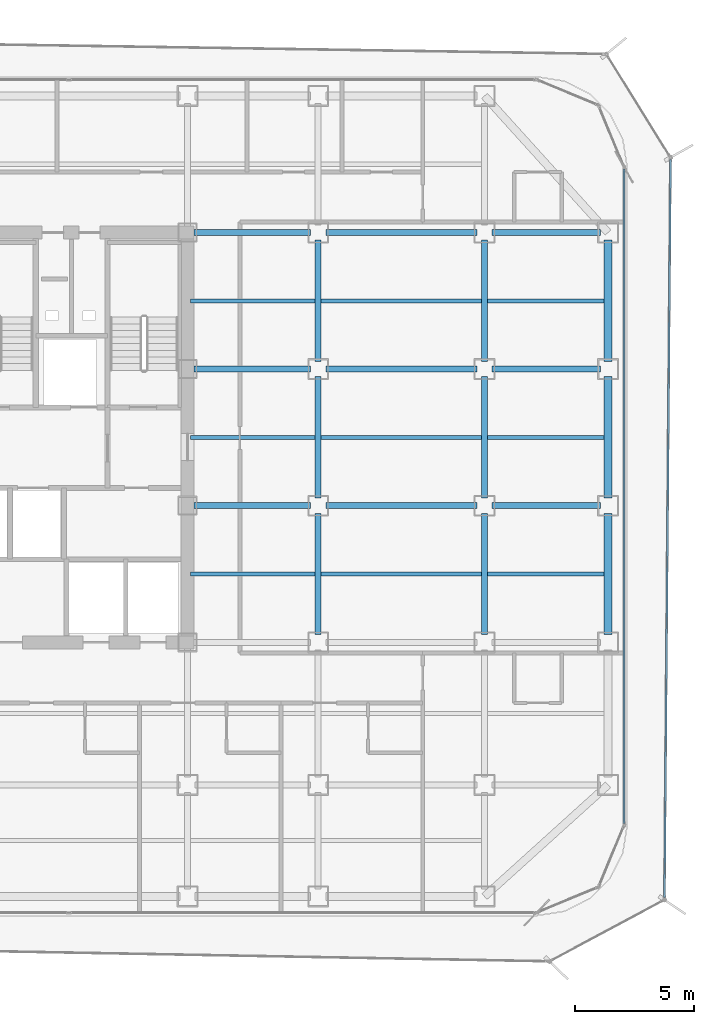
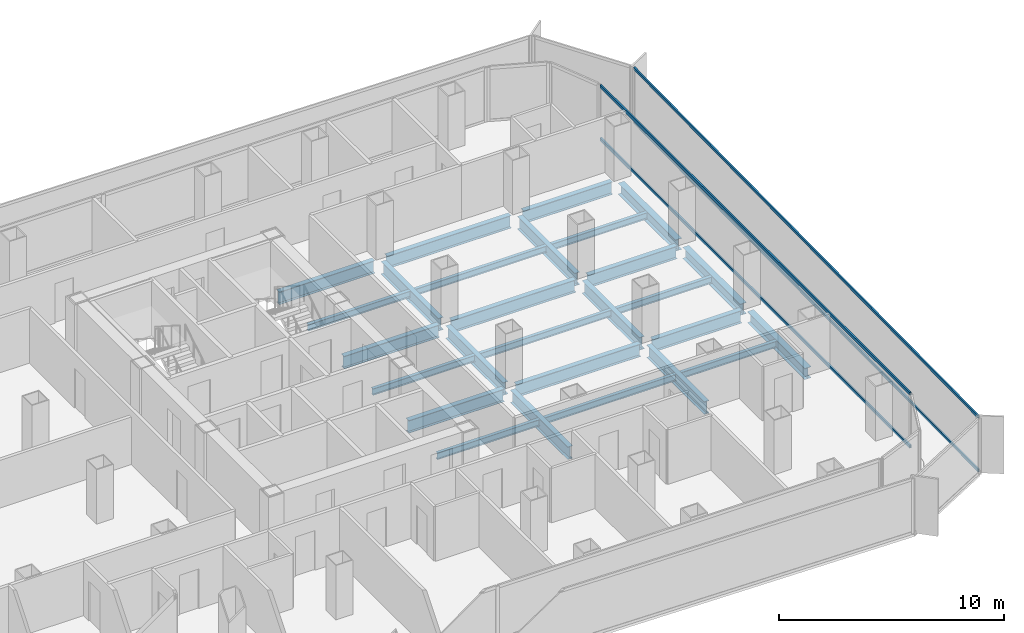
# One storey, part 9 of 21: 27 beams, 4 members, 2 elements without a shape of their own.
"""IFC4 building model written with IfcOpenShell, lengths in metres."""

from ifc_helpers import new_model, si_unit, direction, frame, origin, origin_2d, place, context, subcontext, project, spatial, hollow_rectangle, i_section, extrude, source, transform, mapped, material, layer, layer_set, material_profile, profile_set, type_object, element, aggregate, save


model = new_model("IFC4")

# Units and contexts
model_context = context("Model", 3, precision=1e-05, world=origin(), true_north=direction((0.0, 1.0)))
body_context = subcontext(model_context, "Body", "Model", "MODEL_VIEW")
ifc_project = project(units=[si_unit("LENGTHUNIT", "METRE"), si_unit("AREAUNIT", "SQUARE_METRE"), si_unit("VOLUMEUNIT", "CUBIC_METRE"), si_unit("PLANEANGLEUNIT", "RADIAN"), si_unit("MASSUNIT", "GRAM", prefix="KILO")], contexts=[model_context])

# Site, building, storey
site_placement = place(None, origin())
site = spatial("IfcSite", under=ifc_project, at=site_placement, CompositionType="ELEMENT")
building_placement = place(site_placement, origin())
building = spatial("IfcBuilding", under=site, at=building_placement, Name="Kolveth Station Tower", CompositionType="ELEMENT")
storey_placement = place(building_placement, frame((0.0, 0.0, 111.89990234375)))
storey = spatial("IfcBuildingStorey", under=building, at=storey_placement, Name="L30", CompositionType="ELEMENT", Elevation=111.89990234375)

# Beams
ifc_material_1 = material(Name="Steel S355", Category="steel")
ifc_material_profile_1 = material_profile(ifc_material_1, i_section(OverallWidth=0.323974609375, OverallDepth=0.611083984375, WebThickness=0.0126953125, FlangeThickness=0.01904296875, at=origin_2d()), Name="W610x155")
ifc_profile_set_1 = profile_set([ifc_material_profile_1], Name="Steel S355")
beam_type_1 = type_object("IfcBeamType", Name="Beam_SP2", PredefinedType="SPANDREL", material=ifc_profile_set_1)
shared_shape_1 = source(origin(), body_context, "Body", "SweptSolid", [
    extrude(i_section(OverallWidth=0.323974609375, OverallDepth=0.611083984375, WebThickness=0.0126953125, FlangeThickness=0.01904296875, at=origin_2d()), origin(), (0.0, 0.0, 1.0), 5.10986328125),
])
for number, where, z_axis, x_axis, name in (
    (1, (46.199951171875, 11.820068359375, -0.555419921875), (0.0, 1.0, 0.0), (-1.0, 0.0, 0.0), "L30 Perimeter Spandrel BM-L30-PE-2"),
    (2, (46.199951171875, 17.570068359375, -0.555419921875), (0.0, 1.0, 0.0), (-1.0, 0.0, 0.0), "L30 Perimeter Spandrel BM-L30-PE-3"),
    (3, (46.199951171875, 23.320068359375, -0.555419921875), (0.0, 1.0, 0.0), (-1.0, 0.0, 0.0), "L30 Perimeter Spandrel BM-L30-PE-4"),
):
    element("IfcBeam", number, at=place(storey_placement, frame(where, z_axis=z_axis, x_axis=x_axis)), inside=storey, type_object=beam_type_1, Name=name, PredefinedType="SPANDREL", context=body_context, shape_type="MappedRepresentation", body=[
        mapped(shared_shape_1, transform((0.0, 0.0, 0.0), x_axis=(1.0, 0.0, 0.0), y_axis=(0.0, 1.0, 0.0), z_axis=(0.0, 0.0, 1.0), scale=1.0)),
    ])
ifc_material_profile_2 = material_profile(ifc_material_1, i_section(OverallWidth=0.25390625, OverallDepth=0.68798828125, WebThickness=0.01318359375, FlangeThickness=0.02099609375, at=origin_2d()), Name="W690x152")
ifc_profile_set_2 = profile_set([ifc_material_profile_2], Name="Steel S355")
beam_type_2 = type_object("IfcBeamType", Name="Beam_B4", PredefinedType="BEAM", material=ifc_profile_set_2)
shared_shape_2 = source(origin(), body_context, "Body", "SweptSolid", [
    extrude(i_section(OverallWidth=0.25390625, OverallDepth=0.68798828125, WebThickness=0.01318359375, FlangeThickness=0.02099609375, at=origin_2d()), origin(), (0.0, 0.0, 1.0), 4.559814453125),
])
for number, where, z_axis, x_axis, name in (
    (4, (41.320068359375, 17.25, -0.593994140625), (1.0, 0.0, 0.0), (0.0, 1.0, 0.0), "L30 Primary Girder BM-L30-GY172-7"),
    (5, (41.320068359375, 23.0, -0.593994140625), (1.0, 0.0, 0.0), (0.0, 1.0, 0.0), "L30 Primary Girder BM-L30-GY230-7"),
    (6, (41.320068359375, 28.75, -0.593994140625), (1.0, 0.0, 0.0), (0.0, 1.0, 0.0), "L30 Primary Girder BM-L30-GY287-7"),
):
    element("IfcBeam", number, at=place(storey_placement, frame(where, z_axis=z_axis, x_axis=x_axis)), inside=storey, type_object=beam_type_2, Name=name, PredefinedType="BEAM", context=body_context, shape_type="MappedRepresentation", body=[
        mapped(shared_shape_2, transform((0.0, 0.0, 0.0), x_axis=(1.0, 0.0, 0.0), y_axis=(0.0, 1.0, 0.0), z_axis=(0.0, 0.0, 1.0), scale=1.0)),
    ])
shared_shape_3 = source(origin(), body_context, "Body", "SweptSolid", [
    extrude(i_section(OverallWidth=0.25390625, OverallDepth=0.68798828125, WebThickness=0.01318359375, FlangeThickness=0.02099609375, at=origin_2d()), origin(), (0.0, 0.0, 1.0), 6.35986328125),
])
for number, where, z_axis, x_axis, name in (
    (7, (34.320068359375, 17.25, -0.593994140625), (1.0, 0.0, 0.0), (0.0, 1.0, 0.0), "L30 Primary Girder BM-L30-GY172-6"),
    (8, (34.320068359375, 23.0, -0.593994140625), (1.0, 0.0, 0.0), (0.0, 1.0, 0.0), "L30 Primary Girder BM-L30-GY230-6"),
    (9, (34.320068359375, 28.75, -0.593994140625), (1.0, 0.0, 0.0), (0.0, 1.0, 0.0), "L30 Primary Girder BM-L30-GY287-6"),
):
    element("IfcBeam", number, at=place(storey_placement, frame(where, z_axis=z_axis, x_axis=x_axis)), inside=storey, type_object=beam_type_2, Name=name, PredefinedType="BEAM", context=body_context, shape_type="MappedRepresentation", body=[
        mapped(shared_shape_3, transform((0.0, 0.0, 0.0), x_axis=(1.0, 0.0, 0.0), y_axis=(0.0, 1.0, 0.0), z_axis=(0.0, 0.0, 1.0), scale=1.0)),
    ])
shared_shape_4 = source(origin(), body_context, "Body", "SweptSolid", [
    extrude(i_section(OverallWidth=0.25390625, OverallDepth=0.68798828125, WebThickness=0.01318359375, FlangeThickness=0.02099609375, at=origin_2d()), origin(), (0.0, 0.0, 1.0), 4.89990234375),
])
for number, where, z_axis, x_axis, name in (
    (10, (28.780029296875, 17.25, -0.593994140625), (1.0, 0.0, 0.0), (0.0, 1.0, 0.0), "L30 Primary Girder BM-L30-GY172-5"),
    (11, (28.780029296875, 23.0, -0.593994140625), (1.0, 0.0, 0.0), (0.0, 1.0, 0.0), "L30 Primary Girder BM-L30-GY230-5"),
    (12, (28.780029296875, 28.75, -0.593994140625), (1.0, 0.0, 0.0), (0.0, 1.0, 0.0), "L30 Primary Girder BM-L30-GY287-5"),
):
    element("IfcBeam", number, at=place(storey_placement, frame(where, z_axis=z_axis, x_axis=x_axis)), inside=storey, type_object=beam_type_2, Name=name, PredefinedType="BEAM", context=body_context, shape_type="MappedRepresentation", body=[
        mapped(shared_shape_4, transform((0.0, 0.0, 0.0), x_axis=(1.0, 0.0, 0.0), y_axis=(0.0, 1.0, 0.0), z_axis=(0.0, 0.0, 1.0), scale=1.0)),
    ])
shared_shape_5 = source(origin(), body_context, "Body", "SweptSolid", [
    extrude(i_section(OverallWidth=0.25390625, OverallDepth=0.68798828125, WebThickness=0.01318359375, FlangeThickness=0.02099609375, at=origin_2d()), origin(), (0.0, 0.0, 1.0), 5.10986328125),
])
for number, where, z_axis, x_axis, name in (
    (13, (34.0, 11.820068359375, -0.593994140625), (0.0, 1.0, 0.0), (-1.0, 0.0, 0.0), "L30 Primary Girder BM-L30-GX340-3"),
    (14, (34.0, 17.570068359375, -0.593994140625), (0.0, 1.0, 0.0), (-1.0, 0.0, 0.0), "L30 Primary Girder BM-L30-GX340-4"),
    (15, (34.0, 23.320068359375, -0.593994140625), (0.0, 1.0, 0.0), (-1.0, 0.0, 0.0), "L30 Primary Girder BM-L30-GX340-5"),
    (16, (41.0, 11.820068359375, -0.593994140625), (0.0, 1.0, 0.0), (-1.0, 0.0, 0.0), "L30 Primary Girder BM-L30-GX410-3"),
    (17, (41.0, 17.570068359375, -0.593994140625), (0.0, 1.0, 0.0), (-1.0, 0.0, 0.0), "L30 Primary Girder BM-L30-GX410-4"),
    (18, (41.0, 23.320068359375, -0.593994140625), (0.0, 1.0, 0.0), (-1.0, 0.0, 0.0), "L30 Primary Girder BM-L30-GX410-5"),
):
    element("IfcBeam", number, at=place(storey_placement, frame(where, z_axis=z_axis, x_axis=x_axis)), inside=storey, type_object=beam_type_2, Name=name, PredefinedType="BEAM", context=body_context, shape_type="MappedRepresentation", body=[
        mapped(shared_shape_5, transform((0.0, 0.0, 0.0), x_axis=(1.0, 0.0, 0.0), y_axis=(0.0, 1.0, 0.0), z_axis=(0.0, 0.0, 1.0), scale=1.0)),
    ])
ifc_material_profile_3 = material_profile(ifc_material_1, i_section(OverallWidth=0.1708984375, OverallDepth=0.35205078125, WebThickness=0.0068359375, FlangeThickness=0.009765625, at=origin_2d()), Name="W360x44")
ifc_profile_set_3 = profile_set([ifc_material_profile_3], Name="Steel S355")
beam_type_3 = type_object("IfcBeamType", Name="Beam_J2", PredefinedType="JOIST", material=ifc_profile_set_3)
shared_shape_6 = source(origin(), body_context, "Body", "SweptSolid", [
    extrude(i_section(OverallWidth=0.1708984375, OverallDepth=0.35205078125, WebThickness=0.0068359375, FlangeThickness=0.009765625, at=origin_2d()), origin(), (0.0, 0.0, 1.0), 4.9150390625),
])
for number, where, z_axis, x_axis, name in (
    (19, (41.125, 14.375, -0.42578125), (1.0, 0.0, 0.0), (0.0, 1.0, 0.0), "L30 Secondary Joist JST-L30-7-3"),
    (20, (41.125, 20.125, -0.42578125), (1.0, 0.0, 0.0), (0.0, 1.0, 0.0), "L30 Secondary Joist JST-L30-7-4"),
    (21, (41.125, 25.875, -0.42578125), (1.0, 0.0, 0.0), (0.0, 1.0, 0.0), "L30 Secondary Joist JST-L30-7-5"),
):
    element("IfcBeam", number, at=place(storey_placement, frame(where, z_axis=z_axis, x_axis=x_axis)), inside=storey, type_object=beam_type_3, Name=name, PredefinedType="JOIST", context=body_context, shape_type="MappedRepresentation", body=[
        mapped(shared_shape_6, transform((0.0, 0.0, 0.0), x_axis=(1.0, 0.0, 0.0), y_axis=(0.0, 1.0, 0.0), z_axis=(0.0, 0.0, 1.0), scale=1.0)),
    ])
shared_shape_7 = source(origin(), body_context, "Body", "SweptSolid", [
    extrude(i_section(OverallWidth=0.1708984375, OverallDepth=0.35205078125, WebThickness=0.0068359375, FlangeThickness=0.009765625, at=origin_2d()), origin(), (0.0, 0.0, 1.0), 6.75),
])
for number, where, z_axis, x_axis, name in (
    (22, (34.125, 14.375, -0.42578125), (1.0, 0.0, 0.0), (0.0, 1.0, 0.0), "L30 Secondary Joist JST-L30-6-3"),
    (23, (34.125, 20.125, -0.42578125), (1.0, 0.0, 0.0), (0.0, 1.0, 0.0), "L30 Secondary Joist JST-L30-6-4"),
    (24, (34.125, 25.875, -0.42578125), (1.0, 0.0, 0.0), (0.0, 1.0, 0.0), "L30 Secondary Joist JST-L30-6-5"),
):
    element("IfcBeam", number, at=place(storey_placement, frame(where, z_axis=z_axis, x_axis=x_axis)), inside=storey, type_object=beam_type_3, Name=name, PredefinedType="JOIST", context=body_context, shape_type="MappedRepresentation", body=[
        mapped(shared_shape_7, transform((0.0, 0.0, 0.0), x_axis=(1.0, 0.0, 0.0), y_axis=(0.0, 1.0, 0.0), z_axis=(0.0, 0.0, 1.0), scale=1.0)),
    ])
shared_shape_8 = source(origin(), body_context, "Body", "SweptSolid", [
    extrude(i_section(OverallWidth=0.1708984375, OverallDepth=0.35205078125, WebThickness=0.0068359375, FlangeThickness=0.009765625, at=origin_2d()), origin(), (0.0, 0.0, 1.0), 5.25),
])
for number, where, z_axis, x_axis, name in (
    (25, (28.625, 14.375, -0.42578125), (1.0, 0.0, 0.0), (0.0, 1.0, 0.0), "L30 Secondary Joist JST-L30-5-3"),
    (26, (28.625, 20.125, -0.42578125), (1.0, 0.0, 0.0), (0.0, 1.0, 0.0), "L30 Secondary Joist JST-L30-5-4"),
    (27, (28.625, 25.875, -0.42578125), (1.0, 0.0, 0.0), (0.0, 1.0, 0.0), "L30 Secondary Joist JST-L30-5-5"),
):
    element("IfcBeam", number, at=place(storey_placement, frame(where, z_axis=z_axis, x_axis=x_axis)), inside=storey, type_object=beam_type_3, Name=name, PredefinedType="JOIST", context=body_context, shape_type="MappedRepresentation", body=[
        mapped(shared_shape_8, transform((0.0, 0.0, 0.0), x_axis=(1.0, 0.0, 0.0), y_axis=(0.0, 1.0, 0.0), z_axis=(0.0, 0.0, 1.0), scale=1.0)),
    ])

# Curtain wall, members
ifc_material_2 = material(Name="Aluminium 6063-T6 and low-E dark glass", Category="aluminium")
ifc_layer_1 = layer(ifc_material_2, 0.18994140625)
ifc_layer_set_1 = layer_set([ifc_layer_1], Name="Aluminium 6063-T6 and low-E dark glass")
curtain_wall_type_1 = type_object("IfcCurtainWallType", Name="CurtainWall_CW-Z2", PredefinedType="NOTDEFINED", material=ifc_layer_set_1)
curtain_wall_1_placement = place(storey_placement, origin())
curtain_wall_1 = element("IfcCurtainWall", 28, at=curtain_wall_1_placement, inside=storey, type_object=curtain_wall_type_1, Name="L30 Inner Thermal Curtain Wall 3", PredefinedType="NOTDEFINED")
ifc_material_3 = material(Name="Black anodized aluminium 6063-T6", Category="aluminium")
ifc_material_profile_4 = material_profile(ifc_material_3, hollow_rectangle(XDim=0.080078125, YDim=0.169921875, WallThickness=0.0048828125, at=origin_2d()), Name="ALU-80x170x5")
ifc_profile_set_4 = profile_set([ifc_material_profile_4], Name="Black anodized aluminium 6063-T6")
member_type_1 = type_object("IfcMemberType", Name="Transom_TR2", PredefinedType="USERDEFINED", material=ifc_profile_set_4)
shared_shape_9 = source(origin(), body_context, "Body", "SweptSolid", [
    extrude(hollow_rectangle(XDim=0.080078125, YDim=0.169921875, WallThickness=0.0048828125, at=origin_2d()), origin(), (0.0, 0.0, 1.0), 27.5400390625),
])
member_1_placement = place(storey_placement, frame((46.8798828125, 3.8798828125, 0.0400390625), z_axis=(0.0, 1.0, 0.0), x_axis=(-1.0, 0.0, 0.0)))
member_1 = element("IfcMember", 29, at=member_1_placement, type_object=member_type_1, Name="CW-Z2 transom 1.1", ObjectType="TRANSOM", PredefinedType="USERDEFINED", context=body_context, shape_type="MappedRepresentation", body=[
    mapped(shared_shape_9, transform((0.0, 0.0, 0.0), x_axis=(1.0, 0.0, 0.0), y_axis=(0.0, 1.0, 0.0), z_axis=(0.0, 0.0, 1.0), scale=1.0)),
])
member_2_placement = place(storey_placement, frame((46.8798828125, 3.8798828125, 2.91015625), z_axis=(0.0, 1.0, 0.0), x_axis=(-1.0, 0.0, 0.0)))
member_2 = element("IfcMember", 30, at=member_2_placement, type_object=member_type_1, Name="CW-Z2 transom 1.2", ObjectType="TRANSOM", PredefinedType="USERDEFINED", context=body_context, shape_type="MappedRepresentation", body=[
    mapped(shared_shape_9, transform((0.0, 0.0, 0.0), x_axis=(1.0, 0.0, 0.0), y_axis=(0.0, 1.0, 0.0), z_axis=(0.0, 0.0, 1.0), scale=1.0)),
])
aggregate(curtain_wall_1, [member_1, member_2])

ifc_material_4 = material(Name="Black anodized aluminium 6063-T6 and dark solar glass", Category="aluminium")
ifc_layer_2 = layer(ifc_material_4, 0.159912109375)
ifc_layer_set_2 = layer_set([ifc_layer_2], Name="Black anodized aluminium 6063-T6 and dark solar glass")
curtain_wall_type_2 = type_object("IfcCurtainWallType", Name="OUTER SKIN CW-OS", PredefinedType="NOTDEFINED", material=ifc_layer_set_2)
curtain_wall_2_placement = place(storey_placement, origin())
curtain_wall_2 = element("IfcCurtainWall", 31, at=curtain_wall_2_placement, inside=storey, type_object=curtain_wall_type_2, Name="L30 Outer Ventilated Skin Curtain Wall 2", PredefinedType="NOTDEFINED")
ifc_material_profile_5 = material_profile(ifc_material_3, hollow_rectangle(XDim=0.080078125, YDim=0.14990234375, WallThickness=0.0048828125, at=origin_2d()), Name="ALU-80x150x5")
ifc_profile_set_5 = profile_set([ifc_material_profile_5], Name="Black anodized aluminium 6063-T6")
member_type_2 = type_object("IfcMemberType", Name="Transom_TR-OS", PredefinedType="USERDEFINED", material=ifc_profile_set_5)
shared_shape_10 = source(origin(), body_context, "Body", "SweptSolid", [
    extrude(hollow_rectangle(XDim=0.080078125, YDim=0.14990234375, WallThickness=0.0048828125, at=origin_2d()), origin(), (0.0, 0.0, 1.0), 31.0732421875),
])
member_3_placement = place(storey_placement, frame((48.577880859375, 0.748046875, 0.0400390625), z_axis=(0.008155489658, 0.999966743441, 0.0), x_axis=(-0.999966743441, 0.008155489658, 0.0)))
member_3 = element("IfcMember", 32, at=member_3_placement, type_object=member_type_2, Name="CW-OS transom 1.1", ObjectType="TRANSOM", PredefinedType="USERDEFINED", context=body_context, shape_type="MappedRepresentation", body=[
    mapped(shared_shape_10, transform((0.0, 0.0, 0.0), x_axis=(1.0, 0.0, 0.0), y_axis=(0.0, 1.0, 0.0), z_axis=(0.0, 0.0, 1.0), scale=1.0)),
])
member_4_placement = place(storey_placement, frame((48.577880859375, 0.748046875, 2.9501953125), z_axis=(0.008155489658, 0.999966743441, 0.0), x_axis=(-0.999966743441, 0.008155489658, 0.0)))
member_4 = element("IfcMember", 33, at=member_4_placement, type_object=member_type_2, Name="CW-OS transom 1.2", ObjectType="TRANSOM", PredefinedType="USERDEFINED", context=body_context, shape_type="MappedRepresentation", body=[
    mapped(shared_shape_10, transform((0.0, 0.0, 0.0), x_axis=(1.0, 0.0, 0.0), y_axis=(0.0, 1.0, 0.0), z_axis=(0.0, 0.0, 1.0), scale=1.0)),
])
aggregate(curtain_wall_2, [member_3, member_4])

save(model, "model.ifc")
